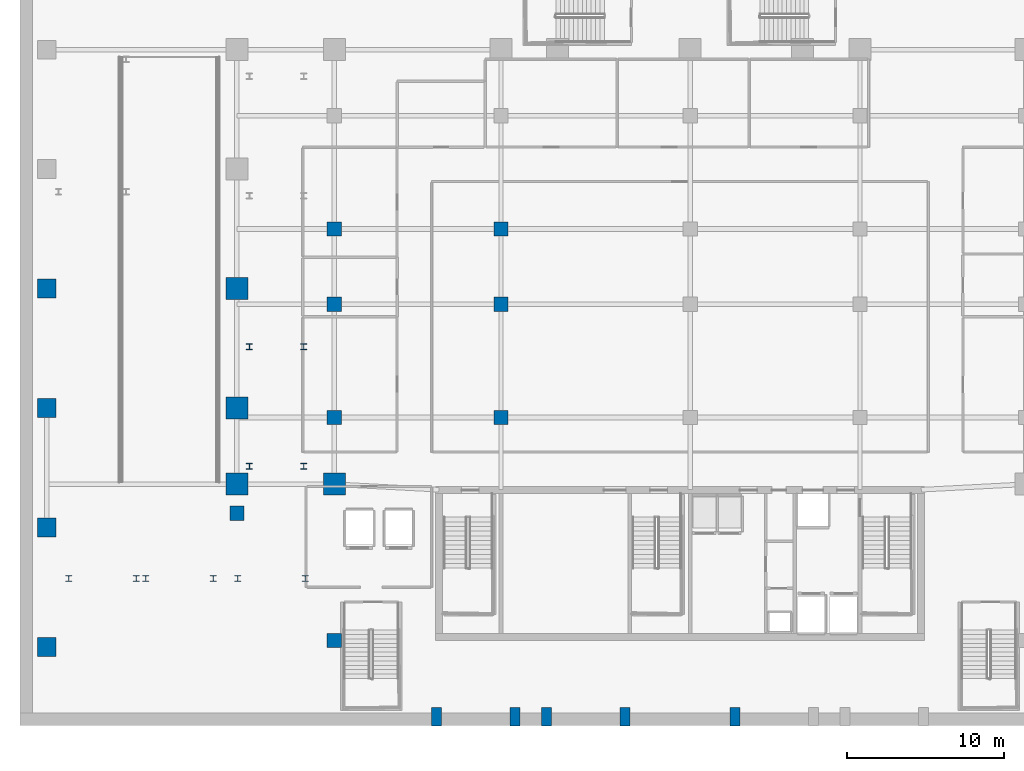
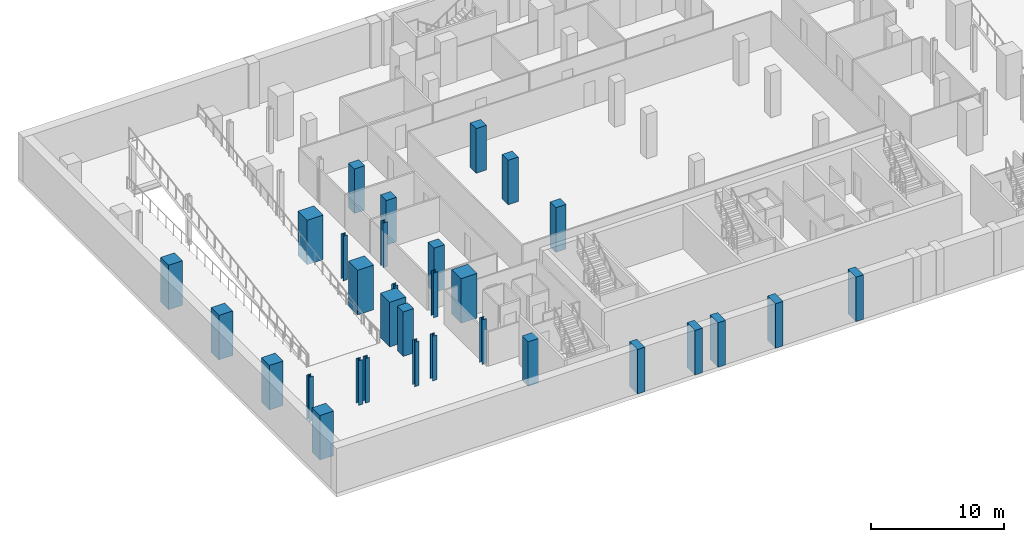
# One storey, part 1 of 18: 31 columns.
"""IFC4 building model written with IfcOpenShell, lengths in metres."""

import ifcopenshell
import ifcopenshell.guid

model = None  # the IFC model being written
_history = None  # IfcOwnerHistory: only IFC2X3 demands one
_inside = {}  # id of a spatial element -> (the spatial element, [elements in it])
_under = {}  # id of a project, library or spatial element -> (it, [spatial elements below it])
_declared = {}  # id of a project -> (the project, [libraries it declares])
_typed = {}  # id of a type object -> (the type object, [elements of that type])
_made_of = {}  # id of a material, layer set ... -> (it, [elements and type objects made of it])


def new_model(schema):
    """Start an empty IFC model of exactly this schema.

    Asked for "IFC4X3", IfcOpenShell would pick the latest addendum, in which some entities
    have other attributes; the version numbers below select the first issue.
    IFC2X3 requires an IfcOwnerHistory on every rooted entity: one is made here for all.
    """
    global model, _history
    if schema == "IFC4X3":
        model = ifcopenshell.file(schema_version=(4, 3, 0, 0))
    else:
        model = ifcopenshell.file(schema=schema)
    _inside.clear()
    _under.clear()
    _declared.clear()
    _typed.clear()
    _made_of.clear()
    _history = None
    if model.schema == "IFC2X3":
        org = make("IfcOrganization", Name="unknown")
        user = make(
            "IfcPersonAndOrganization",
            ThePerson=make("IfcPerson", FamilyName="unknown"),
            TheOrganization=org,
        )
        app = make(
            "IfcApplication",
            ApplicationDeveloper=org,
            Version="unknown",
            ApplicationFullName="unknown",
            ApplicationIdentifier="unknown",
        )
        _history = make(
            "IfcOwnerHistory",
            OwningUser=user,
            OwningApplication=app,
            ChangeAction="ADDED",
            CreationDate=0,
        )
    return model


def make(cls, **values):
    """One entity of the class cls with the attributes given. An attribute that is None is left unset."""
    return model.create_entity(
        cls, **{name: value for name, value in values.items() if value is not None}
    )


def rooted(cls, **values):
    """An entity with a GlobalId (a new one), such as an element, a storey or a relation."""
    return make(cls, GlobalId=ifcopenshell.guid.new(), OwnerHistory=_history, **values)


def si_unit(unit_type, name, prefix=None):
    """IfcSIUnit, for example si_unit("LENGTHUNIT", "METRE", prefix="MILLI")."""
    return make("IfcSIUnit", UnitType=unit_type, Prefix=prefix, Name=name)


def assignment(units):
    """IfcUnitAssignment: the units of a project."""
    return None if units is None else make("IfcUnitAssignment", Units=units)


def point(xyz):
    """IfcCartesianPoint."""
    return None if xyz is None else make("IfcCartesianPoint", Coordinates=xyz)


def direction(xyz):
    """IfcDirection."""
    return None if xyz is None else make("IfcDirection", DirectionRatios=xyz)


def frame(location, z_axis=None, x_axis=None):
    """IfcAxis2Placement3D, a coordinate frame: its origin and axes. An axis left out is left unset."""
    return make(
        "IfcAxis2Placement3D",
        Location=point(location),
        Axis=direction(z_axis),
        RefDirection=direction(x_axis),
    )


def frame_2d(location, x_axis=None):
    """IfcAxis2Placement2D, a coordinate frame in the plane: its origin and x axis."""
    return make(
        "IfcAxis2Placement2D", Location=point(location), RefDirection=direction(x_axis)
    )


def origin():
    """The frame at (0, 0, 0) with its axes left unset."""
    return frame((0.0, 0.0, 0.0))


def origin_2d():
    """The frame at (0, 0) in the plane with its x axis left unset."""
    return frame_2d((0.0, 0.0))


def place(relative_to, where):
    """IfcLocalPlacement: puts the frame where relative to a parent placement (None: the world)."""
    return make(
        "IfcLocalPlacement", PlacementRelTo=relative_to, RelativePlacement=where
    )


def context(
    kind, dimensions, precision=None, world=None, true_north=None, identifier=None
):
    """IfcGeometricRepresentationContext, for example the 3D "Model" context."""
    return make(
        "IfcGeometricRepresentationContext",
        ContextIdentifier=identifier,
        ContextType=kind,
        CoordinateSpaceDimension=dimensions,
        Precision=precision,
        WorldCoordinateSystem=world,
        TrueNorth=true_north,
    )


def subcontext(parent, identifier, kind, view, scale=None):
    """IfcGeometricRepresentationSubContext, for example "Body" below "Model"."""
    return make(
        "IfcGeometricRepresentationSubContext",
        ContextIdentifier=identifier,
        ContextType=kind,
        ParentContext=parent,
        TargetScale=scale,
        TargetView=view,
    )


def project(units=None, contexts=None):
    """IfcProject with its units and contexts."""
    return rooted(
        "IfcProject",
        Name="project",
        RepresentationContexts=contexts,
        UnitsInContext=assignment(units),
    )


def spatial(cls, under=None, at=None, **own):
    """A site, building, storey or space (cls), placed at a placement, below another one or the project."""
    s = rooted(cls, ObjectPlacement=at, **own)
    if under is not None:
        _under.setdefault(under.id(), (under, []))[1].append(s)
    return s


def profile(cls, at=None, kind="AREA", **sizes):
    """A parametric profile (cls). Its sizes go by their IFC names, for example OverallWidth=200.0."""
    return make(cls, ProfileType=kind, Position=at, **sizes)


def rectangle(**sizes):
    """IfcRectangleProfileDef."""
    return profile("IfcRectangleProfileDef", **sizes)


def i_section(**sizes):
    """IfcIShapeProfileDef."""
    return profile("IfcIShapeProfileDef", **sizes)


def extrude(swept, where, along, depth):
    """IfcExtrudedAreaSolid: the profile swept, set in the frame where, extruded along a direction by depth."""
    return make(
        "IfcExtrudedAreaSolid",
        SweptArea=swept,
        Position=where,
        ExtrudedDirection=direction(along),
        Depth=depth,
    )


def shape(context_of_items, identifier, shape_type, items):
    """IfcShapeRepresentation: the items that make up one representation, for example the "Body"."""
    return make(
        "IfcShapeRepresentation",
        ContextOfItems=context_of_items,
        RepresentationIdentifier=identifier,
        RepresentationType=shape_type,
        Items=items,
    )


def material(Name=None, Category=None):
    """IfcMaterial."""
    return make("IfcMaterial", Name=Name, Category=Category)


def material_profile(
    of_material, cross_section, Name=None, Category=None, Priority=None
):
    """IfcMaterialProfile: a cross section and its material."""
    return make(
        "IfcMaterialProfile",
        Name=Name,
        Material=of_material,
        Profile=cross_section,
        Priority=Priority,
        Category=Category,
    )


def profile_set(profiles, Name=None, composite=None):
    """IfcMaterialProfileSet."""
    return make(
        "IfcMaterialProfileSet",
        Name=Name,
        MaterialProfiles=profiles,
        CompositeProfile=composite,
    )


def made_of(thing, what):
    """Note that an element or type object is made of a material, layer set ...; save() writes the relation."""
    if what is not None:
        _made_of.setdefault(what.id(), (what, []))[1].append(thing)
    return thing


def type_object(cls, material=None, **own):
    """A type object (cls), such as IfcWallType, which elements share."""
    return made_of(rooted(cls, **own), material)


def element(
    cls,
    number,
    at=None,
    inside=None,
    cuts=None,
    type_object=None,
    material=None,
    context=None,
    identifier="Body",
    shape_type=None,
    held_by="IfcProductDefinitionShape",
    body=None,
    shapes=None,
    **own,
):
    """One element of the class cls, such as IfcWall. Its Tag is "e" and its number.

    at: its placement. inside: the storey or other place that contains it. cuts: it is an
    opening in that element (IfcRelVoidsElement). A single representation is given by context,
    identifier, shape_type and body (its items); several are given by shapes. held_by: the class
    of the entity that holds the representations. save() writes the other relations.
    """
    e = rooted(cls, Tag="e%d" % number, ObjectPlacement=at, **own)
    if body is not None:
        shapes = [shape(context, identifier, shape_type, body)]
    if shapes is not None:
        e.Representation = make(held_by, Representations=shapes)
    if inside is not None:
        _inside.setdefault(inside.id(), (inside, []))[1].append(e)
    if cuts is not None:
        rooted(
            "IfcRelVoidsElement", RelatingBuildingElement=cuts, RelatedOpeningElement=e
        )
    if type_object is not None:
        _typed.setdefault(type_object.id(), (type_object, []))[1].append(e)
    return made_of(e, material)


def aggregate(whole, parts):
    """IfcRelAggregates: a whole, such as a stair, and the parts it consists of."""
    return rooted("IfcRelAggregates", RelatingObject=whole, RelatedObjects=parts)


def save(model, path):
    """Write the relations noted so far, then the file.

    IfcRelAggregates (storeys below a building ...), IfcRelContainedInSpatialStructure (elements
    in a storey), IfcRelDefinesByType, IfcRelAssociatesMaterial and IfcRelDeclares: one each for
    every whole, place, type object, material and project.
    """
    for whole, parts in _under.values():
        aggregate(whole, parts)
    for where, things in _inside.values():
        rooted(
            "IfcRelContainedInSpatialStructure",
            RelatedElements=things,
            RelatingStructure=where,
        )
    for kind, things in _typed.values():
        rooted("IfcRelDefinesByType", RelatedObjects=things, RelatingType=kind)
    for what, things in _made_of.values():
        rooted("IfcRelAssociatesMaterial", RelatedObjects=things, RelatingMaterial=what)
    for by, libraries in _declared.values():
        rooted("IfcRelDeclares", RelatingContext=by, RelatedDefinitions=libraries)
    model.write(path)


model = new_model("IFC4")

# Units and contexts
model_context = context("Model", 3, precision=1e-05, world=origin(), true_north=direction((0.0, 1.0)))
body_context = subcontext(model_context, "Body", "Model", "MODEL_VIEW")
ifc_project = project(units=[si_unit("LENGTHUNIT", "METRE"), si_unit("AREAUNIT", "SQUARE_METRE"), si_unit("VOLUMEUNIT", "CUBIC_METRE"), si_unit("PLANEANGLEUNIT", "RADIAN"), si_unit("MASSUNIT", "GRAM", prefix="KILO")], contexts=[model_context])

# Site, building, storey
site_placement = place(None, origin())
site = spatial("IfcSite", under=ifc_project, at=site_placement, CompositionType="ELEMENT")
building_placement = place(site_placement, origin())
building = spatial("IfcBuilding", under=site, at=building_placement, Name="Ndaravel Arena Tower", CompositionType="ELEMENT")
storey_placement = place(building_placement, frame((0.0, 0.0, -4.5)))
storey = spatial("IfcBuildingStorey", under=building, at=storey_placement, Name="B01", CompositionType="ELEMENT", Elevation=-4.5)

# Columns
ifc_material_1 = material(Name="Concrete C40/50", Category="concrete")
ifc_material_profile_1 = material_profile(ifc_material_1, rectangle(XDim=0.89990234375, YDim=0.89990234375, at=origin_2d()), Name="RC 900x900")
ifc_profile_set_1 = profile_set([ifc_material_profile_1], Name="Concrete C40/50")
column_type_1 = type_object("IfcColumnType", Name="COL-BSMT-RC900", PredefinedType="COLUMN", material=ifc_profile_set_1)
for number, where, z_axis, x_axis, name in (
    (1, (13.800048828125, 13.5, 0.0), (0.0, 0.0, 1.0), (1.0, 0.0, 0.0), "B01 Ramp Portal Column 01"),
    (2, (20.0, 5.39990234375, 0.0), (0.0, 0.0, 1.0), (1.0, 0.0, 0.0), "B01 South Concourse Column 01"),
    (3, (20.0, 19.60009765625, 0.0), (0.0, 0.0, 1.0), (1.0, 0.0, 0.0), "B01 Sub-Court Column 01"),
    (4, (20.0, 26.800048828125, 0.0), (0.0, 0.0, 1.0), (1.0, 0.0, 0.0), "B01 Sub-Court Column 02"),
    (5, (20.0, 31.60009765625, 0.0), (0.0, 0.0, 1.0), (1.0, 0.0, 0.0), "B01 Sub-Court Column 03"),
    (6, (30.60009765625, 19.60009765625, 0.0), (0.0, 0.0, 1.0), (1.0, 0.0, 0.0), "B01 Sub-Court Column 05"),
    (7, (30.60009765625, 26.800048828125, 0.0), (0.0, 0.0, 1.0), (1.0, 0.0, 0.0), "B01 Sub-Court Column 06"),
    (8, (30.60009765625, 31.60009765625, 0.0), (0.0, 0.0, 1.0), (1.0, 0.0, 0.0), "B01 Sub-Court Column 07"),
):
    element("IfcColumn", number, at=place(storey_placement, frame(where, z_axis=z_axis, x_axis=x_axis)), inside=storey, type_object=column_type_1, Name=name, PredefinedType="COLUMN", context=body_context, shape_type="SweptSolid", body=[
        extrude(rectangle(XDim=0.89990234375, YDim=0.89990234375, at=origin_2d()), origin(), (0.0, 0.0, 1.0), 4.10009765625),
    ])
ifc_material_2 = material(Name="Steel S355", Category="steel")
ifc_material_profile_2 = material_profile(ifc_material_2, i_section(OverallWidth=0.374755859375, OverallDepth=0.37451171875, WebThickness=0.0166015625, FlangeThickness=0.027099609375, FilletRadius=0.01513671875, at=origin_2d()), Name="UC 356x368x202")
ifc_profile_set_2 = profile_set([ifc_material_profile_2], Name="Steel S355")
column_type_2 = type_object("IfcColumnType", Name="COL-CRN-UC202", PredefinedType="COLUMN", material=ifc_profile_set_2)
for number, where, z_axis, x_axis, name in (
    (9, (3.10009765625, 9.35009765625, 0.0), (0.0, 0.0, 1.0), (1.0, 0.0, 0.0), "B01 Stair ST-A01 Support Pier 1"),
    (10, (7.39990234375, 9.35009765625, 0.0), (0.0, 0.0, 1.0), (1.0, 0.0, 0.0), "B01 Stair ST-A01 Support Pier 2"),
    (11, (8.0, 9.35009765625, 0.0), (0.0, 0.0, 1.0), (1.0, 0.0, 0.0), "B01 Stair ST-A02 Support Pier 1"),
    (12, (12.300048828125, 9.35009765625, 0.0), (0.0, 0.0, 1.0), (1.0, 0.0, 0.0), "B01 Stair ST-A02 Support Pier 2"),
    (13, (13.85009765625, 9.35009765625, 0.0), (0.0, 0.0, 1.0), (1.0, 0.0, 0.0), "B01 Stair ST-A03 Support Pier 1"),
    (14, (18.14990234375, 9.35009765625, 0.0), (0.0, 0.0, 1.0), (1.0, 0.0, 0.0), "B01 Stair ST-A03 Support Pier 2"),
    (15, (14.60009765625, 16.5, 0.0), (0.0, 0.0, 1.0), (1.0, 0.0, 0.0), "B01 Vomitory Stair ST-VOM-1 Pier 1.1"),
    (16, (14.60009765625, 24.10009765625, 0.0), (0.0, 0.0, 1.0), (1.0, 0.0, 0.0), "B01 Vomitory Stair ST-VOM-1 Pier 1.2"),
    (17, (18.06005859375, 16.5, 0.0), (0.0, 0.0, 1.0), (1.0, 0.0, 0.0), "B01 Vomitory Stair ST-VOM-1 Pier 2.1"),
    (18, (18.06005859375, 24.10009765625, 0.0), (0.0, 0.0, 1.0), (1.0, 0.0, 0.0), "B01 Vomitory Stair ST-VOM-1 Pier 2.2"),
):
    element("IfcColumn", number, at=place(storey_placement, frame(where, z_axis=z_axis, x_axis=x_axis)), inside=storey, type_object=column_type_2, Name=name, PredefinedType="COLUMN", context=body_context, shape_type="SweptSolid", body=[
        extrude(i_section(OverallWidth=0.374755859375, OverallDepth=0.37451171875, WebThickness=0.0166015625, FlangeThickness=0.027099609375, FilletRadius=0.01513671875, at=origin_2d()), origin(), (0.0, 0.0, 1.0), 4.10009765625),
    ])
ifc_material_3 = material(Name="Concrete C60/75", Category="concrete")
ifc_material_profile_3 = material_profile(ifc_material_3, rectangle(XDim=1.199951171875, YDim=1.199951171875, at=origin_2d()), Name="RC 1200x1200")
ifc_profile_set_3 = profile_set([ifc_material_profile_3], Name="Concrete C60/75")
column_type_3 = type_object("IfcColumnType", Name="COL-MEGA-RC1200", PredefinedType="COLUMN", material=ifc_profile_set_3)
for number, where, z_axis, x_axis, name in (
    (19, (1.699951171875, 5.0, 0.0), (0.0, 0.0, 1.0), (1.0, 0.0, 0.0), "B01 Perimeter Mega Column 01"),
    (20, (1.699951171875, 12.60009765625, 0.0), (0.0, 0.0, 1.0), (1.0, 0.0, 0.0), "B01 Perimeter Mega Column 02"),
    (21, (1.699951171875, 20.199951171875, 0.0), (0.0, 0.0, 1.0), (1.0, 0.0, 0.0), "B01 Perimeter Mega Column 03"),
    (22, (1.699951171875, 27.800048828125, 0.0), (0.0, 0.0, 1.0), (1.0, 0.0, 0.0), "B01 Perimeter Mega Column 04"),
):
    element("IfcColumn", number, at=place(storey_placement, frame(where, z_axis=z_axis, x_axis=x_axis)), inside=storey, type_object=column_type_3, Name=name, PredefinedType="COLUMN", context=body_context, shape_type="SweptSolid", body=[
        extrude(rectangle(XDim=1.199951171875, YDim=1.199951171875, at=origin_2d()), origin(), (0.0, 0.0, 1.0), 4.10009765625),
    ])
ifc_material_4 = material(Name="Concrete C60/75", Category="concrete")
ifc_material_profile_4 = material_profile(ifc_material_4, rectangle(XDim=1.39990234375, YDim=1.39990234375, at=origin_2d()), Name="RC 1400x1400")
ifc_profile_set_4 = profile_set([ifc_material_profile_4], Name="Concrete C60/75")
column_type_4 = type_object("IfcColumnType", Name="COL-MEGA-RC1400", PredefinedType="COLUMN", material=ifc_profile_set_4)
for number, where, z_axis, x_axis, name in (
    (23, (13.800048828125, 15.35009765625, 0.0), (0.0, 0.0, 1.0), (1.0, 0.0, 0.0), "B01 Arena Ring Mega Column 01"),
    (24, (13.800048828125, 20.199951171875, 0.0), (0.0, 0.0, 1.0), (1.0, 0.0, 0.0), "B01 Arena Ring Mega Column 02"),
    (25, (13.800048828125, 27.800048828125, 0.0), (0.0, 0.0, 1.0), (1.0, 0.0, 0.0), "B01 Arena Ring Mega Column 03"),
    (26, (20.0, 15.35009765625, 0.0), (0.0, 0.0, 1.0), (1.0, 0.0, 0.0), "B01 Arena Ring Mega Column 11"),
):
    element("IfcColumn", number, at=place(storey_placement, frame(where, z_axis=z_axis, x_axis=x_axis)), inside=storey, type_object=column_type_4, Name=name, PredefinedType="COLUMN", context=body_context, shape_type="SweptSolid", body=[
        extrude(rectangle(XDim=1.39990234375, YDim=1.39990234375, at=origin_2d()), origin(), (0.0, 0.0, 1.0), 4.10009765625),
    ])
ifc_material_5 = material(Name="Concrete C40/50", Category="concrete")
ifc_material_profile_5 = material_profile(ifc_material_5, rectangle(XDim=0.64990234375, YDim=1.199951171875, at=origin_2d()), Name="RC 650x1200")
ifc_profile_set_5 = profile_set([ifc_material_profile_5], Name="Concrete C40/50")
column_type_5 = type_object("IfcColumnType", Name="COL-PIL-RC650", PredefinedType="PILASTER", material=ifc_profile_set_5)
for number, where, z_axis, x_axis, name in (
    (27, (26.5, 0.550048828125, 0.0), (0.0, 0.0, 1.0), (1.0, 0.0, 0.0), "B01 South Foyer Pilaster 01"),
    (28, (31.5, 0.550048828125, 0.0), (0.0, 0.0, 1.0), (1.0, 0.0, 0.0), "B01 South Foyer Pilaster 02"),
    (29, (33.5, 0.550048828125, 0.0), (0.0, 0.0, 1.0), (1.0, 0.0, 0.0), "B01 South Foyer Pilaster 03"),
    (30, (38.5, 0.550048828125, 0.0), (0.0, 0.0, 1.0), (1.0, 0.0, 0.0), "B01 South Foyer Pilaster 04"),
    (31, (45.5, 0.550048828125, 0.0), (0.0, 0.0, 1.0), (1.0, 0.0, 0.0), "B01 South Foyer Pilaster 05"),
):
    element("IfcColumn", number, at=place(storey_placement, frame(where, z_axis=z_axis, x_axis=x_axis)), inside=storey, type_object=column_type_5, Name=name, PredefinedType="PILASTER", context=body_context, shape_type="SweptSolid", body=[
        extrude(rectangle(XDim=0.64990234375, YDim=1.199951171875, at=origin_2d()), origin(), (0.0, 0.0, 1.0), 4.10009765625),
    ])

save(model, "model.ifc")
